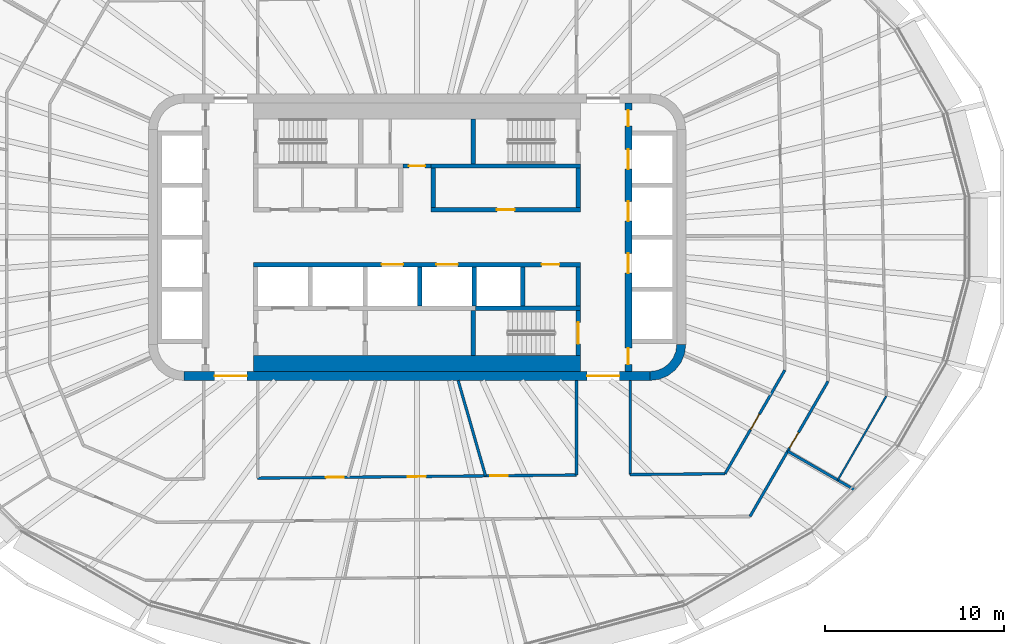
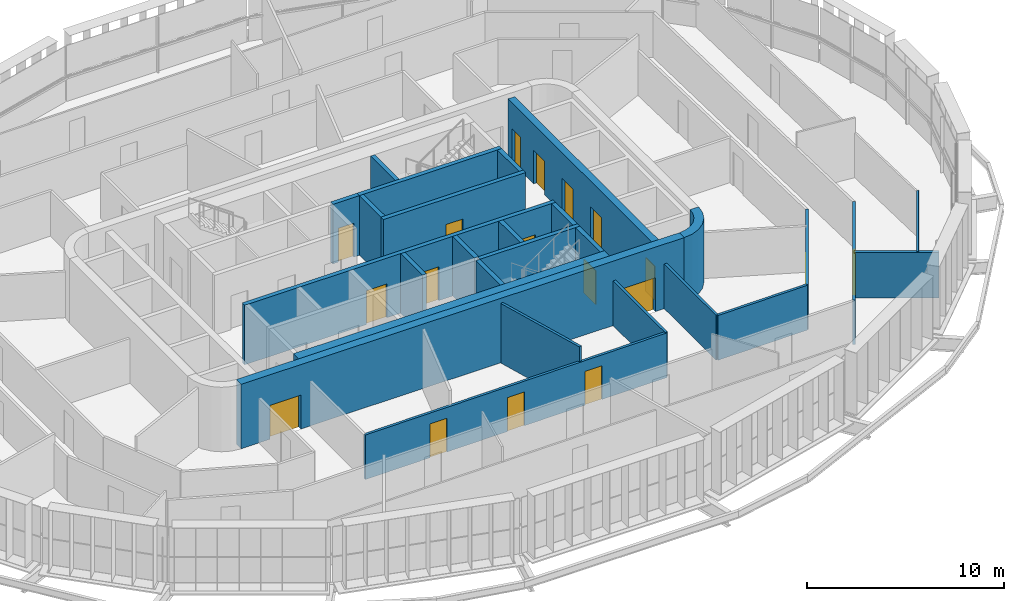
# One storey, part 12 of 21: 27 walls, 18 doors, 18 openings.
"""IFC4 building model written with IfcOpenShell, lengths in metres."""

import ifcopenshell
import ifcopenshell.guid

model = None  # the IFC model being written
_history = None  # IfcOwnerHistory: only IFC2X3 demands one
_inside = {}  # id of a spatial element -> (the spatial element, [elements in it])
_under = {}  # id of a project, library or spatial element -> (it, [spatial elements below it])
_declared = {}  # id of a project -> (the project, [libraries it declares])
_typed = {}  # id of a type object -> (the type object, [elements of that type])
_made_of = {}  # id of a material, layer set ... -> (it, [elements and type objects made of it])


def new_model(schema):
    """Start an empty IFC model of exactly this schema.

    Asked for "IFC4X3", IfcOpenShell would pick the latest addendum, in which some entities
    have other attributes; the version numbers below select the first issue.
    IFC2X3 requires an IfcOwnerHistory on every rooted entity: one is made here for all.
    """
    global model, _history
    if schema == "IFC4X3":
        model = ifcopenshell.file(schema_version=(4, 3, 0, 0))
    else:
        model = ifcopenshell.file(schema=schema)
    _inside.clear()
    _under.clear()
    _declared.clear()
    _typed.clear()
    _made_of.clear()
    _history = None
    if model.schema == "IFC2X3":
        org = make("IfcOrganization", Name="unknown")
        user = make(
            "IfcPersonAndOrganization",
            ThePerson=make("IfcPerson", FamilyName="unknown"),
            TheOrganization=org,
        )
        app = make(
            "IfcApplication",
            ApplicationDeveloper=org,
            Version="unknown",
            ApplicationFullName="unknown",
            ApplicationIdentifier="unknown",
        )
        _history = make(
            "IfcOwnerHistory",
            OwningUser=user,
            OwningApplication=app,
            ChangeAction="ADDED",
            CreationDate=0,
        )
    return model


def make(cls, **values):
    """One entity of the class cls with the attributes given. An attribute that is None is left unset."""
    return model.create_entity(
        cls, **{name: value for name, value in values.items() if value is not None}
    )


def rooted(cls, **values):
    """An entity with a GlobalId (a new one), such as an element, a storey or a relation."""
    return make(cls, GlobalId=ifcopenshell.guid.new(), OwnerHistory=_history, **values)


def si_unit(unit_type, name, prefix=None):
    """IfcSIUnit, for example si_unit("LENGTHUNIT", "METRE", prefix="MILLI")."""
    return make("IfcSIUnit", UnitType=unit_type, Prefix=prefix, Name=name)


def assignment(units):
    """IfcUnitAssignment: the units of a project."""
    return None if units is None else make("IfcUnitAssignment", Units=units)


def point(xyz):
    """IfcCartesianPoint."""
    return None if xyz is None else make("IfcCartesianPoint", Coordinates=xyz)


def direction(xyz):
    """IfcDirection."""
    return None if xyz is None else make("IfcDirection", DirectionRatios=xyz)


def frame(location, z_axis=None, x_axis=None):
    """IfcAxis2Placement3D, a coordinate frame: its origin and axes. An axis left out is left unset."""
    return make(
        "IfcAxis2Placement3D",
        Location=point(location),
        Axis=direction(z_axis),
        RefDirection=direction(x_axis),
    )


def frame_2d(location, x_axis=None):
    """IfcAxis2Placement2D, a coordinate frame in the plane: its origin and x axis."""
    return make(
        "IfcAxis2Placement2D", Location=point(location), RefDirection=direction(x_axis)
    )


def origin():
    """The frame at (0, 0, 0) with its axes left unset."""
    return frame((0.0, 0.0, 0.0))


def place(relative_to, where):
    """IfcLocalPlacement: puts the frame where relative to a parent placement (None: the world)."""
    return make(
        "IfcLocalPlacement", PlacementRelTo=relative_to, RelativePlacement=where
    )


def context(
    kind, dimensions, precision=None, world=None, true_north=None, identifier=None
):
    """IfcGeometricRepresentationContext, for example the 3D "Model" context."""
    return make(
        "IfcGeometricRepresentationContext",
        ContextIdentifier=identifier,
        ContextType=kind,
        CoordinateSpaceDimension=dimensions,
        Precision=precision,
        WorldCoordinateSystem=world,
        TrueNorth=true_north,
    )


def subcontext(parent, identifier, kind, view, scale=None):
    """IfcGeometricRepresentationSubContext, for example "Body" below "Model"."""
    return make(
        "IfcGeometricRepresentationSubContext",
        ContextIdentifier=identifier,
        ContextType=kind,
        ParentContext=parent,
        TargetScale=scale,
        TargetView=view,
    )


def project(units=None, contexts=None):
    """IfcProject with its units and contexts."""
    return rooted(
        "IfcProject",
        Name="project",
        RepresentationContexts=contexts,
        UnitsInContext=assignment(units),
    )


def spatial(cls, under=None, at=None, **own):
    """A site, building, storey or space (cls), placed at a placement, below another one or the project."""
    s = rooted(cls, ObjectPlacement=at, **own)
    if under is not None:
        _under.setdefault(under.id(), (under, []))[1].append(s)
    return s


def polyline(points):
    """IfcPolyline through the points."""
    return make("IfcPolyline", Points=[point(p) for p in points])


def profile(cls, at=None, kind="AREA", **sizes):
    """A parametric profile (cls). Its sizes go by their IFC names, for example OverallWidth=200.0."""
    return make(cls, ProfileType=kind, Position=at, **sizes)


def rectangle(**sizes):
    """IfcRectangleProfileDef."""
    return profile("IfcRectangleProfileDef", **sizes)


def outline(outer, holes=None, kind="AREA"):
    """IfcArbitraryClosedProfileDef: a profile drawn as a closed curve; with holes, ...WithVoids."""
    if holes is None:
        return make("IfcArbitraryClosedProfileDef", ProfileType=kind, OuterCurve=outer)
    return make(
        "IfcArbitraryProfileDefWithVoids",
        ProfileType=kind,
        OuterCurve=outer,
        InnerCurves=holes,
    )


def extrude(swept, where, along, depth):
    """IfcExtrudedAreaSolid: the profile swept, set in the frame where, extruded along a direction by depth."""
    return make(
        "IfcExtrudedAreaSolid",
        SweptArea=swept,
        Position=where,
        ExtrudedDirection=direction(along),
        Depth=depth,
    )


def shape(context_of_items, identifier, shape_type, items):
    """IfcShapeRepresentation: the items that make up one representation, for example the "Body"."""
    return make(
        "IfcShapeRepresentation",
        ContextOfItems=context_of_items,
        RepresentationIdentifier=identifier,
        RepresentationType=shape_type,
        Items=items,
    )


def material(Name=None, Category=None):
    """IfcMaterial."""
    return make("IfcMaterial", Name=Name, Category=Category)


def layer(
    of_material, thickness, ventilated=None, Name=None, Category=None, Priority=None
):
    """IfcMaterialLayer: one layer of a wall or slab, of a material (None: an air gap)."""
    return make(
        "IfcMaterialLayer",
        Material=of_material,
        LayerThickness=thickness,
        IsVentilated=ventilated,
        Name=Name,
        Category=Category,
        Priority=Priority,
    )


def layer_set(layers, Name=None):
    """IfcMaterialLayerSet."""
    return make("IfcMaterialLayerSet", MaterialLayers=layers, LayerSetName=Name)


def made_of(thing, what):
    """Note that an element or type object is made of a material, layer set ...; save() writes the relation."""
    if what is not None:
        _made_of.setdefault(what.id(), (what, []))[1].append(thing)
    return thing


def type_object(cls, material=None, **own):
    """A type object (cls), such as IfcWallType, which elements share."""
    return made_of(rooted(cls, **own), material)


def element(
    cls,
    number,
    at=None,
    inside=None,
    cuts=None,
    type_object=None,
    material=None,
    context=None,
    identifier="Body",
    shape_type=None,
    held_by="IfcProductDefinitionShape",
    body=None,
    shapes=None,
    **own,
):
    """One element of the class cls, such as IfcWall. Its Tag is "e" and its number.

    at: its placement. inside: the storey or other place that contains it. cuts: it is an
    opening in that element (IfcRelVoidsElement). A single representation is given by context,
    identifier, shape_type and body (its items); several are given by shapes. held_by: the class
    of the entity that holds the representations. save() writes the other relations.
    """
    e = rooted(cls, Tag="e%d" % number, ObjectPlacement=at, **own)
    if body is not None:
        shapes = [shape(context, identifier, shape_type, body)]
    if shapes is not None:
        e.Representation = make(held_by, Representations=shapes)
    if inside is not None:
        _inside.setdefault(inside.id(), (inside, []))[1].append(e)
    if cuts is not None:
        rooted(
            "IfcRelVoidsElement", RelatingBuildingElement=cuts, RelatedOpeningElement=e
        )
    if type_object is not None:
        _typed.setdefault(type_object.id(), (type_object, []))[1].append(e)
    return made_of(e, material)


def fill(opening, filler):
    """IfcRelFillsElement: the door or window that sits in an opening."""
    return rooted(
        "IfcRelFillsElement",
        RelatingOpeningElement=opening,
        RelatedBuildingElement=filler,
    )


def aggregate(whole, parts):
    """IfcRelAggregates: a whole, such as a stair, and the parts it consists of."""
    return rooted("IfcRelAggregates", RelatingObject=whole, RelatedObjects=parts)


def save(model, path):
    """Write the relations noted so far, then the file.

    IfcRelAggregates (storeys below a building ...), IfcRelContainedInSpatialStructure (elements
    in a storey), IfcRelDefinesByType, IfcRelAssociatesMaterial and IfcRelDeclares: one each for
    every whole, place, type object, material and project.
    """
    for whole, parts in _under.values():
        aggregate(whole, parts)
    for where, things in _inside.values():
        rooted(
            "IfcRelContainedInSpatialStructure",
            RelatedElements=things,
            RelatingStructure=where,
        )
    for kind, things in _typed.values():
        rooted("IfcRelDefinesByType", RelatedObjects=things, RelatingType=kind)
    for what, things in _made_of.values():
        rooted("IfcRelAssociatesMaterial", RelatedObjects=things, RelatingMaterial=what)
    for by, libraries in _declared.values():
        rooted("IfcRelDeclares", RelatingContext=by, RelatedDefinitions=libraries)
    model.write(path)


model = new_model("IFC4")

# Units and contexts
model_context = context("Model", 3, precision=1e-05, world=origin(), true_north=direction((0.0, 1.0)))
body_context = subcontext(model_context, "Body", "Model", "MODEL_VIEW")
ifc_project = project(units=[si_unit("LENGTHUNIT", "METRE"), si_unit("AREAUNIT", "SQUARE_METRE"), si_unit("VOLUMEUNIT", "CUBIC_METRE"), si_unit("PLANEANGLEUNIT", "RADIAN"), si_unit("MASSUNIT", "GRAM", prefix="KILO")], contexts=[model_context])

# Site, building, storey
site_placement = place(None, origin())
site = spatial("IfcSite", under=ifc_project, at=site_placement, CompositionType="ELEMENT")
building_placement = place(site_placement, origin())
building = spatial("IfcBuilding", under=site, at=building_placement, Name="Sahrelin Media Tower", CompositionType="ELEMENT")
storey_placement = place(building_placement, frame((0.0, 0.0, 193.60009765625)))
storey = spatial("IfcBuildingStorey", under=building, at=storey_placement, Name="L41", CompositionType="ELEMENT", Elevation=193.60009765625)

# Wall, openings, doors
ifc_material_1 = material(Name="Concrete C60/75", Category="concrete")
ifc_layer_1 = layer(ifc_material_1, 0.5)
ifc_layer_set_1 = layer_set([ifc_layer_1], Name="Core wall 500")
wall_type_1 = type_object("IfcWallType", Name="Core wall 500", PredefinedType="SHEAR", material=ifc_layer_set_1)
wall_1_placement = place(storey_placement, frame((-13.0, -7.75, 0.0), z_axis=(0.0, 0.0, 1.0), x_axis=(1.0, 0.0, 0.0)))
wall_1 = element("IfcWall", 1, at=wall_1_placement, inside=storey, type_object=wall_type_1, Name="Core wall S L41", PredefinedType="SHEAR", context=body_context, shape_type="SweptSolid", body=[
    extrude(rectangle(XDim=26.0, YDim=0.5, at=frame_2d((13.0, 0.0))), origin(), (0.0, 0.0, 1.0), 4.0),
])
opening_1_placement = place(wall_1_placement, frame((1.699951171875, 0.0, 0.0)))
opening_1 = element("IfcOpeningElement", 2, at=opening_1_placement, cuts=wall_1, Name="Opening L41-D19", PredefinedType="OPENING", context=body_context, shape_type="SweptSolid", body=[
    extrude(rectangle(XDim=1.800048828125, YDim=2.10009765625, at=frame_2d((0.89990234375, 1.050048828125))), frame((0.0, 0.25, 0.0), z_axis=(0.0, -1.0, 0.0), x_axis=(1.0, 0.0, 0.0)), (0.0, 0.0, 1.0), 0.5),
])
opening_2_placement = place(wall_1_placement, frame((22.5, 0.0, 0.0)))
opening_2 = element("IfcOpeningElement", 3, at=opening_2_placement, cuts=wall_1, Name="Opening L41-D20", PredefinedType="OPENING", context=body_context, shape_type="SweptSolid", body=[
    extrude(rectangle(XDim=1.800048828125, YDim=2.10009765625, at=frame_2d((0.89990234375, 1.050048828125))), frame((0.0, 0.25, 0.0), z_axis=(0.0, -1.0, 0.0), x_axis=(1.0, 0.0, 0.0)), (0.0, 0.0, 1.0), 0.5),
])
ifc_material_2 = material(Name="Steel fire door leaf", Category="steel")
door_type_1 = type_object("IfcDoorType", Name="Lobby double door 1800 x 2100 EI 60", OperationType="DOUBLE_DOOR_SINGLE_SWING", PredefinedType="DOOR", material=ifc_material_2)
door_1_placement = place(opening_1_placement, origin())
door_1 = element("IfcDoor", 4, at=door_1_placement, inside=storey, type_object=door_type_1, Name="Lobby door", OperationType="DOUBLE_DOOR_SINGLE_SWING", OverallHeight=2.10009765625, OverallWidth=1.800048828125, PredefinedType="DOOR", context=body_context, shape_type="SweptSolid", body=[
    extrude(rectangle(XDim=1.800048828125, YDim=2.10009765625, at=frame_2d((0.89990234375, 1.050048828125))), frame((0.0, 0.02490234375, 0.0), z_axis=(0.0, -1.0, 0.0), x_axis=(1.0, 0.0, 0.0)), (0.0, 0.0, 1.0), 0.050048828125),
])
fill(opening_1, door_1)
door_2_placement = place(opening_2_placement, origin())
door_2 = element("IfcDoor", 5, at=door_2_placement, inside=storey, type_object=door_type_1, Name="Lobby door", OperationType="DOUBLE_DOOR_SINGLE_SWING", OverallHeight=2.10009765625, OverallWidth=1.800048828125, PredefinedType="DOOR", context=body_context, shape_type="SweptSolid", body=[
    extrude(rectangle(XDim=1.800048828125, YDim=2.10009765625, at=frame_2d((0.89990234375, 1.050048828125))), frame((0.0, 0.02490234375, 0.0), z_axis=(0.0, -1.0, 0.0), x_axis=(1.0, 0.0, 0.0)), (0.0, 0.0, 1.0), 0.050048828125),
])
fill(opening_2, door_2)

# Wall
wall_2_placement = place(storey_placement, origin())
element("IfcWall", 6, at=wall_2_placement, inside=storey, type_object=wall_type_1, Name="Core wall corner SE L41", PredefinedType="SHEAR", context=body_context, shape_type="SweptSolid", body=[
    extrude(outline(polyline([(15.0, -6.0), (14.49560546875, -6.0), (14.44482421875, -6.38720703125), (14.29541015625, -6.747802734375), (14.0576171875, -7.0576171875), (13.747802734375, -7.29541015625), (13.38720703125, -7.44482421875), (13.0, -7.49560546875), (13.0, -8.0), (13.517578125, -7.931884765625), (14.0, -7.732177734375), (14.414306640625, -7.414306640625), (14.732177734375, -7.0), (14.931884765625, -6.517578125), (15.0, -6.0)])), origin(), (0.0, 0.0, 1.0), 4.0),
])

# Wall, opening, door
ifc_material_3 = material(Name="Fire-rated gypsum board partition")
ifc_layer_2 = layer(ifc_material_3, 0.25)
ifc_layer_set_2 = layer_set([ifc_layer_2], Name="Fire-rated lobby wall 250")
wall_type_2 = type_object("IfcWallType", Name="Fire-rated lobby wall 250", PredefinedType="PARTITIONING", material=ifc_layer_set_2)
wall_3_placement = place(storey_placement, frame((-0.77490234375, 3.97509765625, 0.0), z_axis=(0.0, 0.0, 1.0), x_axis=(1.0, 0.0, 0.0)))
wall_3 = element("IfcWall", 7, at=wall_3_placement, inside=storey, type_object=wall_type_2, Name="Core lobby wall", PredefinedType="PARTITIONING", context=body_context, shape_type="SweptSolid", body=[
    extrude(rectangle(XDim=1.5498046875, YDim=0.25, at=frame_2d((0.77490234375, 0.0))), origin(), (0.0, 0.0, 1.0), 3.699951171875),
])
opening_3_placement = place(wall_3_placement, frame((0.324951171875, 0.0, 0.0)))
opening_3 = element("IfcOpeningElement", 8, at=opening_3_placement, cuts=wall_3, Name="Opening L41-D06", PredefinedType="OPENING", context=body_context, shape_type="SweptSolid", body=[
    extrude(rectangle(XDim=0.89990234375, YDim=2.10009765625, at=frame_2d((0.449951171875, 1.050048828125))), frame((0.0, 0.125, 0.0), z_axis=(0.0, -1.0, 0.0), x_axis=(1.0, 0.0, 0.0)), (0.0, 0.0, 1.0), 0.25),
])
door_type_2 = type_object("IfcDoorType", Name="Riser door 900 x 2100 EI 120", OperationType="NOTDEFINED", PredefinedType="DOOR", material=ifc_material_2)
door_3_placement = place(opening_3_placement, origin())
door_3 = element("IfcDoor", 9, at=door_3_placement, inside=storey, type_object=door_type_2, Name="Core room door", OperationType="SINGLE_SWING_LEFT", OverallHeight=2.10009765625, OverallWidth=0.89990234375, PredefinedType="DOOR", context=body_context, shape_type="SweptSolid", body=[
    extrude(rectangle(XDim=0.89990234375, YDim=2.10009765625, at=frame_2d((0.449951171875, 1.050048828125))), frame((0.0, 0.02490234375, 0.0), z_axis=(0.0, -1.0, 0.0), x_axis=(1.0, 0.0, 0.0)), (0.0, 0.0, 1.0), 0.050048828125),
])
fill(opening_3, door_3)

wall_4_placement = place(storey_placement, frame((0.77490234375, 1.52490234375, 0.0), z_axis=(0.0, 0.0, 1.0), x_axis=(1.0, 0.0, 0.0)))
wall_4 = element("IfcWall", 10, at=wall_4_placement, inside=storey, type_object=wall_type_2, Name="Core lobby wall", PredefinedType="PARTITIONING", context=body_context, shape_type="SweptSolid", body=[
    extrude(rectangle(XDim=8.35009765625, YDim=0.25, at=frame_2d((4.175048828125, 0.0))), origin(), (0.0, 0.0, 1.0), 3.699951171875),
])
opening_4_placement = place(wall_4_placement, frame((3.675048828125, 0.0, 0.0)))
opening_4 = element("IfcOpeningElement", 11, at=opening_4_placement, cuts=wall_4, Name="Opening L41-D11", PredefinedType="OPENING", context=body_context, shape_type="SweptSolid", body=[
    extrude(rectangle(XDim=1.0, YDim=2.10009765625, at=frame_2d((0.5, 1.050048828125))), frame((0.0, 0.125, 0.0), z_axis=(0.0, -1.0, 0.0), x_axis=(1.0, 0.0, 0.0)), (0.0, 0.0, 1.0), 0.25),
])
door_type_3 = type_object("IfcDoorType", Name="Fire door 1000 x 2100 EI 60", OperationType="NOTDEFINED", PredefinedType="DOOR", material=ifc_material_2)
door_4_placement = place(opening_4_placement, origin())
door_4 = element("IfcDoor", 12, at=door_4_placement, inside=storey, type_object=door_type_3, Name="Core room door", OperationType="SINGLE_SWING_LEFT", OverallHeight=2.10009765625, OverallWidth=1.0, PredefinedType="DOOR", context=body_context, shape_type="SweptSolid", body=[
    extrude(rectangle(XDim=1.0, YDim=2.10009765625, at=frame_2d((0.5, 1.050048828125))), frame((0.0, 0.02490234375, 0.0), z_axis=(0.0, -1.0, 0.0), x_axis=(1.0, 0.0, 0.0)), (0.0, 0.0, 1.0), 0.050048828125),
])
fill(opening_4, door_4)

# Walls
for number, where, z_axis, x_axis, name in (
    (13, (9.0, 1.64990234375, 0.0), (0.0, 0.0, 1.0), (0.0, 1.0, 0.0), "Core lobby wall"),
    (14, (0.89990234375, 1.64990234375, 0.0), (0.0, 0.0, 1.0), (0.0, 1.0, 0.0), "Core lobby wall"),
):
    element("IfcWall", number, at=place(storey_placement, frame(where, z_axis=z_axis, x_axis=x_axis)), inside=storey, type_object=wall_type_2, Name=name, PredefinedType="PARTITIONING", context=body_context, shape_type="SweptSolid", body=[
        extrude(rectangle(XDim=2.2001953125, YDim=0.25, at=frame_2d((1.10009765625, 0.0))), origin(), (0.0, 0.0, 1.0), 3.699951171875),
    ])
ifc_layer_3 = layer(ifc_material_3, 0.14990234375)
ifc_layer_set_3 = layer_set([ifc_layer_3], Name="Fire-rated partition 150")
wall_type_3 = type_object("IfcWallType", Name="Fire-rated partition 150", PredefinedType="PARTITIONING", material=ifc_layer_set_3)
wall_5_placement = place(storey_placement, frame((2.2958984375, -8.0, 0.0), z_axis=(0.0, 0.0, 1.0), x_axis=(0.275935525478, -0.961176147113, 0.0)))
element("IfcWall", 15, at=wall_5_placement, inside=storey, type_object=wall_type_3, Name="Wall", PredefinedType="PARTITIONING", context=body_context, shape_type="SweptSolid", body=[
    extrude(rectangle(XDim=5.54833984375, YDim=0.14990234375, at=frame_2d((2.774169921875, 0.0))), origin(), (0.0, 0.0, 1.0), 3.699951171875),
])
wall_6_placement = place(storey_placement, frame((20.68994140625, -11.945068359375, 0.0), z_axis=(0.0, 0.0, 1.0), x_axis=(0.866048255864, -0.499960416948, 0.0)))
element("IfcWall", 16, at=wall_6_placement, inside=storey, type_object=wall_type_3, Name="Wall", PredefinedType="PARTITIONING", context=body_context, shape_type="SweptSolid", body=[
    extrude(rectangle(XDim=4.322021484375, YDim=0.14990234375, at=frame_2d((2.1611328125, 0.0))), origin(), (0.0, 0.0, 1.0), 2.844970703125),
])

# Wall, openings, doors
wall_7_placement = place(storey_placement, frame((-8.89990234375, -13.448974609375, 0.0), z_axis=(0.0, 0.0, 1.0), x_axis=(0.999951241216, 0.009874977968, 0.0)))
wall_7 = element("IfcWall", 17, at=wall_7_placement, inside=storey, type_object=wall_type_3, Name="Wall", PredefinedType="PARTITIONING", context=body_context, shape_type="SweptSolid", body=[
    extrude(rectangle(XDim=17.80078125, YDim=0.14990234375, at=frame_2d((8.900390625, 0.0))), origin(), (0.0, 0.0, 1.0), 2.76806640625),
])
opening_5_placement = place(wall_7_placement, frame((3.8173828125, 0.0, 0.0)))
opening_5 = element("IfcOpeningElement", 18, at=opening_5_placement, cuts=wall_7, Name="Opening L41-D21", PredefinedType="OPENING", context=body_context, shape_type="SweptSolid", body=[
    extrude(rectangle(XDim=1.0, YDim=2.10009765625, at=frame_2d((0.5, 1.050048828125))), frame((0.0, 0.074951171875, 0.0), z_axis=(0.0, -1.0, 0.0), x_axis=(1.0, 0.0, 0.0)), (0.0, 0.0, 1.0), 0.14990234375),
])
opening_6_placement = place(wall_7_placement, frame((8.39013671875, 0.0, 0.0)))
opening_6 = element("IfcOpeningElement", 19, at=opening_6_placement, cuts=wall_7, Name="Opening L41-D22", PredefinedType="OPENING", context=body_context, shape_type="SweptSolid", body=[
    extrude(rectangle(XDim=1.0, YDim=2.10009765625, at=frame_2d((0.5, 1.050048828125))), frame((0.0, 0.074951171875, 0.0), z_axis=(0.0, -1.0, 0.0), x_axis=(1.0, 0.0, 0.0)), (0.0, 0.0, 1.0), 0.14990234375),
])
opening_7_placement = place(wall_7_placement, frame((12.97412109375, 0.0, 0.0)))
opening_7 = element("IfcOpeningElement", 20, at=opening_7_placement, cuts=wall_7, Name="Opening L41-D23", PredefinedType="OPENING", context=body_context, shape_type="SweptSolid", body=[
    extrude(rectangle(XDim=1.0, YDim=2.10009765625, at=frame_2d((0.5, 1.050048828125))), frame((0.0, 0.074951171875, 0.0), z_axis=(0.0, -1.0, 0.0), x_axis=(1.0, 0.0, 0.0)), (0.0, 0.0, 1.0), 0.14990234375),
])
door_5_placement = place(opening_5_placement, origin())
door_5 = element("IfcDoor", 21, at=door_5_placement, inside=storey, type_object=door_type_3, Name="Fire door", OperationType="SINGLE_SWING_RIGHT", OverallHeight=2.10009765625, OverallWidth=1.0, PredefinedType="DOOR", context=body_context, shape_type="SweptSolid", body=[
    extrude(rectangle(XDim=1.0, YDim=2.10009765625, at=frame_2d((0.5, 1.050048828125))), frame((0.0, 0.02490234375, 0.0), z_axis=(0.0, -1.0, 0.0), x_axis=(1.0, 0.0, 0.0)), (0.0, 0.0, 1.0), 0.050048828125),
])
fill(opening_5, door_5)
door_6_placement = place(opening_6_placement, origin())
door_6 = element("IfcDoor", 22, at=door_6_placement, inside=storey, type_object=door_type_3, Name="Fire door", OperationType="SINGLE_SWING_RIGHT", OverallHeight=2.10009765625, OverallWidth=1.0, PredefinedType="DOOR", context=body_context, shape_type="SweptSolid", body=[
    extrude(rectangle(XDim=1.0, YDim=2.10009765625, at=frame_2d((0.5, 1.050048828125))), frame((0.0, 0.02490234375, 0.0), z_axis=(0.0, -1.0, 0.0), x_axis=(1.0, 0.0, 0.0)), (0.0, 0.0, 1.0), 0.050048828125),
])
fill(opening_6, door_6)
door_7_placement = place(opening_7_placement, origin())
door_7 = element("IfcDoor", 23, at=door_7_placement, inside=storey, type_object=door_type_3, Name="Fire door", OperationType="SINGLE_SWING_LEFT", OverallHeight=2.10009765625, OverallWidth=1.0, PredefinedType="DOOR", context=body_context, shape_type="SweptSolid", body=[
    extrude(rectangle(XDim=1.0, YDim=2.10009765625, at=frame_2d((0.5, 1.050048828125))), frame((0.0, 0.02490234375, 0.0), z_axis=(0.0, -1.0, 0.0), x_axis=(1.0, 0.0, 0.0)), (0.0, 0.0, 1.0), 0.050048828125),
])
fill(opening_7, door_7)

# Wall
wall_8_placement = place(storey_placement, frame((11.89990234375, -13.2529296875, 0.0), z_axis=(0.0, 0.0, 1.0), x_axis=(0.999951309192, 0.009868092237, 0.0)))
element("IfcWall", 24, at=wall_8_placement, inside=storey, type_object=wall_type_3, Name="Wall", PredefinedType="PARTITIONING", context=body_context, shape_type="SweptSolid", body=[
    extrude(rectangle(XDim=5.29443359375, YDim=0.14990234375, at=frame_2d((2.647216796875, 0.0))), origin(), (0.0, 0.0, 1.0), 2.77685546875),
])

# Wall, opening, door
wall_9_placement = place(storey_placement, frame((18.587158203125, -15.587158203125, 0.0), z_axis=(0.0, 0.0, 1.0), x_axis=(0.499960140076, 0.866048415699, 0.0)))
wall_9 = element("IfcWall", 25, at=wall_9_placement, inside=storey, type_object=wall_type_3, Name="Wall", PredefinedType="PARTITIONING", context=body_context, shape_type="SweptSolid", body=[
    extrude(rectangle(XDim=8.713623046875, YDim=0.14990234375, at=frame_2d((4.35693359375, 0.0))), origin(), (0.0, 0.0, 1.0), 2.77685546875),
])
opening_8_placement = place(wall_9_placement, frame((4.40966796875, 0.0, 0.0)))
opening_8 = element("IfcOpeningElement", 26, at=opening_8_placement, cuts=wall_9, Name="Opening L41-D35", PredefinedType="OPENING", context=body_context, shape_type="SweptSolid", body=[
    extrude(rectangle(XDim=1.0, YDim=2.10009765625, at=frame_2d((0.5, 1.050048828125))), frame((0.0, 0.074951171875, 0.0), z_axis=(0.0, -1.0, 0.0), x_axis=(1.0, 0.0, 0.0)), (0.0, 0.0, 1.0), 0.14990234375),
])
door_8_placement = place(opening_8_placement, origin())
door_8 = element("IfcDoor", 27, at=door_8_placement, inside=storey, type_object=door_type_3, Name="Fire door", OperationType="SINGLE_SWING_LEFT", OverallHeight=2.10009765625, OverallWidth=1.0, PredefinedType="DOOR", context=body_context, shape_type="SweptSolid", body=[
    extrude(rectangle(XDim=1.0, YDim=2.10009765625, at=frame_2d((0.5, 1.050048828125))), frame((0.0, 0.02490234375, 0.0), z_axis=(0.0, -1.0, 0.0), x_axis=(1.0, 0.0, 0.0)), (0.0, 0.0, 1.0), 0.050048828125),
])
fill(opening_8, door_8)

wall_10_placement = place(storey_placement, frame((17.194091796875, -13.200927734375, 0.0), z_axis=(0.0, 0.0, 1.0), x_axis=(0.499955744085, 0.866050953441, 0.0)))
wall_10 = element("IfcWall", 28, at=wall_10_placement, inside=storey, type_object=wall_type_3, Name="Wall", PredefinedType="PARTITIONING", context=body_context, shape_type="SweptSolid", body=[
    extrude(rectangle(XDim=6.67333984375, YDim=0.14990234375, at=frame_2d((3.336669921875, 0.0))), origin(), (0.0, 0.0, 1.0), 2.77685546875),
])
opening_9_placement = place(wall_10_placement, frame((2.834716796875, 0.0, 0.0)))
opening_9 = element("IfcOpeningElement", 29, at=opening_9_placement, cuts=wall_10, Name="Opening L41-D24", PredefinedType="OPENING", context=body_context, shape_type="SweptSolid", body=[
    extrude(rectangle(XDim=1.0, YDim=2.10009765625, at=frame_2d((0.5, 1.050048828125))), frame((0.0, 0.074951171875, 0.0), z_axis=(0.0, -1.0, 0.0), x_axis=(1.0, 0.0, 0.0)), (0.0, 0.0, 1.0), 0.14990234375),
])
door_9_placement = place(opening_9_placement, origin())
door_9 = element("IfcDoor", 30, at=door_9_placement, inside=storey, type_object=door_type_3, Name="Fire door", OperationType="SINGLE_SWING_RIGHT", OverallHeight=2.10009765625, OverallWidth=1.0, PredefinedType="DOOR", context=body_context, shape_type="SweptSolid", body=[
    extrude(rectangle(XDim=1.0, YDim=2.10009765625, at=frame_2d((0.5, 1.050048828125))), frame((0.0, 0.02490234375, 0.0), z_axis=(0.0, -1.0, 0.0), x_axis=(1.0, 0.0, 0.0)), (0.0, 0.0, 1.0), 0.050048828125),
])
fill(opening_9, door_9)

# Walls
wall_11_placement = place(storey_placement, frame((11.89990234375, -13.2529296875, 0.0), z_axis=(0.0, 0.0, 1.0), x_axis=(0.0, 1.0, 0.0)))
element("IfcWall", 31, at=wall_11_placement, inside=storey, type_object=wall_type_3, Name="Wall", PredefinedType="PARTITIONING", context=body_context, shape_type="SweptSolid", body=[
    extrude(rectangle(XDim=5.2529296875, YDim=0.14990234375, at=frame_2d((2.62646484375, 0.0))), origin(), (0.0, 0.0, 1.0), 2.77685546875),
])
wall_12_placement = place(storey_placement, frame((8.89990234375, -13.282958984375, 0.0), z_axis=(0.0, 0.0, 1.0), x_axis=(0.0, 1.0, 0.0)))
element("IfcWall", 32, at=wall_12_placement, inside=storey, type_object=wall_type_3, Name="Wall", PredefinedType="PARTITIONING", context=body_context, shape_type="SweptSolid", body=[
    extrude(rectangle(XDim=5.282958984375, YDim=0.14990234375, at=frame_2d((2.6416015625, 0.0))), origin(), (0.0, 0.0, 1.0), 2.77685546875),
])

# Wall, openings, doors
ifc_layer_4 = layer(ifc_material_1, 0.25)
ifc_layer_set_4 = layer_set([ifc_layer_4], Name="Lift shaft wall 250")
wall_type_4 = type_object("IfcWallType", Name="Lift shaft wall 250", PredefinedType="SOLIDWALL", material=ifc_layer_set_4)
wall_13_placement = place(storey_placement, frame((-9.125, -1.52490234375, 0.0), z_axis=(0.0, 0.0, 1.0), x_axis=(1.0, 0.0, 0.0)))
wall_13 = element("IfcWall", 33, at=wall_13_placement, inside=storey, type_object=wall_type_4, Name="Lift shaft wall", PredefinedType="SOLIDWALL", context=body_context, shape_type="SweptSolid", body=[
    extrude(rectangle(XDim=18.25, YDim=0.25, at=frame_2d((9.125, 0.0))), origin(), (0.0, 0.0, 1.0), 3.699951171875),
])
opening_10_placement = place(wall_13_placement, frame((7.14990234375, 0.0, 0.0)))
opening_10 = element("IfcOpeningElement", 34, at=opening_10_placement, cuts=wall_13, Name="Opening L41-LD-SV1", PredefinedType="OPENING", context=body_context, shape_type="SweptSolid", body=[
    extrude(rectangle(XDim=1.199951171875, YDim=2.10009765625, at=frame_2d((0.60009765625, 1.050048828125))), frame((0.0, 0.125, 0.0), z_axis=(0.0, -1.0, 0.0), x_axis=(1.0, 0.0, 0.0)), (0.0, 0.0, 1.0), 0.25),
])
opening_11_placement = place(wall_13_placement, frame((10.199951171875, 0.0, 0.0)))
opening_11 = element("IfcOpeningElement", 35, at=opening_11_placement, cuts=wall_13, Name="Opening L41-LD-SV2", PredefinedType="OPENING", context=body_context, shape_type="SweptSolid", body=[
    extrude(rectangle(XDim=1.199951171875, YDim=2.10009765625, at=frame_2d((0.60009765625, 1.050048828125))), frame((0.0, 0.125, 0.0), z_axis=(0.0, -1.0, 0.0), x_axis=(1.0, 0.0, 0.0)), (0.0, 0.0, 1.0), 0.25),
])
opening_12_placement = place(wall_13_placement, frame((16.074951171875, 0.0, 0.0)))
opening_12 = element("IfcOpeningElement", 36, at=opening_12_placement, cuts=wall_13, Name="Opening L41-D12", PredefinedType="OPENING", context=body_context, shape_type="SweptSolid", body=[
    extrude(rectangle(XDim=1.0, YDim=2.10009765625, at=frame_2d((0.5, 1.050048828125))), frame((0.0, 0.125, 0.0), z_axis=(0.0, -1.0, 0.0), x_axis=(1.0, 0.0, 0.0)), (0.0, 0.0, 1.0), 0.25),
])
door_10_placement = place(opening_12_placement, origin())
door_10 = element("IfcDoor", 37, at=door_10_placement, inside=storey, type_object=door_type_3, Name="Core room door", OperationType="SINGLE_SWING_RIGHT", OverallHeight=2.10009765625, OverallWidth=1.0, PredefinedType="DOOR", context=body_context, shape_type="SweptSolid", body=[
    extrude(rectangle(XDim=1.0, YDim=2.10009765625, at=frame_2d((0.5, 1.050048828125))), frame((0.0, 0.02490234375, 0.0), z_axis=(0.0, -1.0, 0.0), x_axis=(1.0, 0.0, 0.0)), (0.0, 0.0, 1.0), 0.050048828125),
])
fill(opening_12, door_10)
ifc_material_4 = material(Name="Stainless steel", Category="steel")
door_type_4 = type_object("IfcDoorType", Name="Lift landing door 1200 x 2100 EI 120", OperationType="DOUBLE_DOOR_SLIDING", PredefinedType="DOOR", material=ifc_material_4)
door_11_placement = place(opening_10_placement, origin())
door_11 = element("IfcDoor", 38, at=door_11_placement, inside=storey, type_object=door_type_4, Name="Lift landing door SV1", OperationType="DOUBLE_DOOR_SLIDING", OverallHeight=2.10009765625, OverallWidth=1.199951171875, PredefinedType="DOOR", context=body_context, shape_type="SweptSolid", body=[
    extrude(rectangle(XDim=1.199951171875, YDim=2.10009765625, at=frame_2d((0.60009765625, 1.050048828125))), frame((0.0, 0.02490234375, 0.0), z_axis=(0.0, -1.0, 0.0), x_axis=(1.0, 0.0, 0.0)), (0.0, 0.0, 1.0), 0.050048828125),
])
fill(opening_10, door_11)
door_12_placement = place(opening_11_placement, origin())
door_12 = element("IfcDoor", 39, at=door_12_placement, inside=storey, type_object=door_type_4, Name="Lift landing door SV2", OperationType="DOUBLE_DOOR_SLIDING", OverallHeight=2.10009765625, OverallWidth=1.199951171875, PredefinedType="DOOR", context=body_context, shape_type="SweptSolid", body=[
    extrude(rectangle(XDim=1.199951171875, YDim=2.10009765625, at=frame_2d((0.60009765625, 1.050048828125))), frame((0.0, 0.02490234375, 0.0), z_axis=(0.0, -1.0, 0.0), x_axis=(1.0, 0.0, 0.0)), (0.0, 0.0, 1.0), 0.050048828125),
])
fill(opening_11, door_12)

# Walls
wall_14_placement = place(storey_placement, frame((3.27490234375, -3.97509765625, 0.0), z_axis=(0.0, 0.0, 1.0), x_axis=(1.0, 0.0, 0.0)))
element("IfcWall", 40, at=wall_14_placement, inside=storey, type_object=wall_type_4, Name="Lift shaft wall", PredefinedType="SOLIDWALL", context=body_context, shape_type="SweptSolid", body=[
    extrude(rectangle(XDim=5.85009765625, YDim=0.25, at=frame_2d((2.925048828125, 0.0))), origin(), (0.0, 0.0, 1.0), 3.699951171875),
])
for number, where, z_axis, x_axis, name in (
    (41, (0.14990234375, -3.85009765625, 0.0), (0.0, 0.0, 1.0), (0.0, 1.0, 0.0), "Lift shaft wall"),
    (42, (3.199951171875, -3.85009765625, 0.0), (0.0, 0.0, 1.0), (0.0, 1.0, 0.0), "Lift shaft wall"),
    (43, (5.89990234375, -3.85009765625, 0.0), (0.0, 0.0, 1.0), (0.0, 1.0, 0.0), "Lift shaft wall"),
    (44, (9.0, -3.85009765625, 0.0), (0.0, 0.0, 1.0), (0.0, 1.0, 0.0), "Lift shaft wall"),
):
    element("IfcWall", number, at=place(storey_placement, frame(where, z_axis=z_axis, x_axis=x_axis)), inside=storey, type_object=wall_type_4, Name=name, PredefinedType="SOLIDWALL", context=body_context, shape_type="SweptSolid", body=[
        extrude(rectangle(XDim=2.2001953125, YDim=0.25, at=frame_2d((1.10009765625, 0.0))), origin(), (0.0, 0.0, 1.0), 3.699951171875),
    ])

# Wall, openings, doors
ifc_layer_5 = layer(ifc_material_1, 0.39990234375)
ifc_layer_set_5 = layer_set([ifc_layer_5], Name="Lift shaft wall 400")
wall_type_5 = type_object("IfcWallType", Name="Lift shaft wall 400", PredefinedType="SOLIDWALL", material=ifc_layer_set_5)
wall_15_placement = place(storey_placement, frame((11.800048828125, -7.5, 0.0), z_axis=(0.0, 0.0, 1.0), x_axis=(0.0, 1.0, 0.0)))
wall_15 = element("IfcWall", 45, at=wall_15_placement, inside=storey, type_object=wall_type_5, Name="Lift shaft wall", PredefinedType="SOLIDWALL", context=body_context, shape_type="SweptSolid", body=[
    extrude(rectangle(XDim=15.0, YDim=0.39990234375, at=frame_2d((7.5, 0.0))), origin(), (0.0, 0.0, 1.0), 3.699951171875),
])
opening_13_placement = place(wall_15_placement, frame((11.300048828125, 0.0, 0.0)))
opening_13 = element("IfcOpeningElement", 46, at=opening_13_placement, cuts=wall_15, Name="Opening L41-LD-LR4", PredefinedType="OPENING", context=body_context, shape_type="SweptSolid", body=[
    extrude(rectangle(XDim=1.10009765625, YDim=2.10009765625, at=frame_2d((0.550048828125, 1.050048828125))), frame((0.0, 0.199951171875, 0.0), z_axis=(0.0, -1.0, 0.0), x_axis=(1.0, 0.0, 0.0)), (0.0, 0.0, 1.0), 0.39990234375),
])
opening_14_placement = place(wall_15_placement, frame((8.39990234375, 0.0, 0.0)))
opening_14 = element("IfcOpeningElement", 47, at=opening_14_placement, cuts=wall_15, Name="Opening L41-LD-LR5", PredefinedType="OPENING", context=body_context, shape_type="SweptSolid", body=[
    extrude(rectangle(XDim=1.10009765625, YDim=2.10009765625, at=frame_2d((0.550048828125, 1.050048828125))), frame((0.0, 0.199951171875, 0.0), z_axis=(0.0, -1.0, 0.0), x_axis=(1.0, 0.0, 0.0)), (0.0, 0.0, 1.0), 0.39990234375),
])
opening_15_placement = place(wall_15_placement, frame((5.5, 0.0, 0.0)))
opening_15 = element("IfcOpeningElement", 48, at=opening_15_placement, cuts=wall_15, Name="Opening L41-LD-LR6", PredefinedType="OPENING", context=body_context, shape_type="SweptSolid", body=[
    extrude(rectangle(XDim=1.10009765625, YDim=2.10009765625, at=frame_2d((0.550048828125, 1.050048828125))), frame((0.0, 0.199951171875, 0.0), z_axis=(0.0, -1.0, 0.0), x_axis=(1.0, 0.0, 0.0)), (0.0, 0.0, 1.0), 0.39990234375),
])
opening_16_placement = place(wall_15_placement, frame((13.696533203125, 0.0, 0.0)))
opening_16 = element("IfcOpeningElement", 49, at=opening_16_placement, cuts=wall_15, Name="Opening L41-D15", PredefinedType="OPENING", context=body_context, shape_type="SweptSolid", body=[
    extrude(rectangle(XDim=0.89990234375, YDim=2.10009765625, at=frame_2d((0.449951171875, 1.050048828125))), frame((0.0, 0.199951171875, 0.0), z_axis=(0.0, -1.0, 0.0), x_axis=(1.0, 0.0, 0.0)), (0.0, 0.0, 1.0), 0.39990234375),
])
opening_17_placement = place(wall_15_placement, frame((0.4033203125, 0.0, 0.0)))
opening_17 = element("IfcOpeningElement", 50, at=opening_17_placement, cuts=wall_15, Name="Opening L41-D16", PredefinedType="OPENING", context=body_context, shape_type="SweptSolid", body=[
    extrude(rectangle(XDim=0.89990234375, YDim=2.10009765625, at=frame_2d((0.449951171875, 1.050048828125))), frame((0.0, 0.199951171875, 0.0), z_axis=(0.0, -1.0, 0.0), x_axis=(1.0, 0.0, 0.0)), (0.0, 0.0, 1.0), 0.39990234375),
])
door_type_5 = type_object("IfcDoorType", Name="Lift landing door 1100 x 2100 EI 120", OperationType="DOUBLE_DOOR_SLIDING", PredefinedType="DOOR", material=ifc_material_4)
door_13_placement = place(opening_13_placement, origin())
door_13 = element("IfcDoor", 51, at=door_13_placement, inside=storey, type_object=door_type_5, Name="Lift landing door LR4", OperationType="DOUBLE_DOOR_SLIDING", OverallHeight=2.10009765625, OverallWidth=1.10009765625, PredefinedType="DOOR", context=body_context, shape_type="SweptSolid", body=[
    extrude(rectangle(XDim=1.10009765625, YDim=2.10009765625, at=frame_2d((0.550048828125, 1.050048828125))), frame((0.0, 0.02490234375, 0.0), z_axis=(0.0, -1.0, 0.0), x_axis=(1.0, 0.0, 0.0)), (0.0, 0.0, 1.0), 0.050048828125),
])
fill(opening_13, door_13)
door_14_placement = place(opening_14_placement, origin())
door_14 = element("IfcDoor", 52, at=door_14_placement, inside=storey, type_object=door_type_5, Name="Lift landing door LR5", OperationType="DOUBLE_DOOR_SLIDING", OverallHeight=2.10009765625, OverallWidth=1.10009765625, PredefinedType="DOOR", context=body_context, shape_type="SweptSolid", body=[
    extrude(rectangle(XDim=1.10009765625, YDim=2.10009765625, at=frame_2d((0.550048828125, 1.050048828125))), frame((0.0, 0.02490234375, 0.0), z_axis=(0.0, -1.0, 0.0), x_axis=(1.0, 0.0, 0.0)), (0.0, 0.0, 1.0), 0.050048828125),
])
fill(opening_14, door_14)
door_15_placement = place(opening_15_placement, origin())
door_15 = element("IfcDoor", 53, at=door_15_placement, inside=storey, type_object=door_type_5, Name="Lift landing door LR6", OperationType="DOUBLE_DOOR_SLIDING", OverallHeight=2.10009765625, OverallWidth=1.10009765625, PredefinedType="DOOR", context=body_context, shape_type="SweptSolid", body=[
    extrude(rectangle(XDim=1.10009765625, YDim=2.10009765625, at=frame_2d((0.550048828125, 1.050048828125))), frame((0.0, 0.02490234375, 0.0), z_axis=(0.0, -1.0, 0.0), x_axis=(1.0, 0.0, 0.0)), (0.0, 0.0, 1.0), 0.050048828125),
])
fill(opening_15, door_15)
door_16_placement = place(opening_16_placement, origin())
door_16 = element("IfcDoor", 54, at=door_16_placement, inside=storey, type_object=door_type_2, Name="Riser door", OperationType="SINGLE_SWING_RIGHT", OverallHeight=2.10009765625, OverallWidth=0.89990234375, PredefinedType="DOOR", context=body_context, shape_type="SweptSolid", body=[
    extrude(rectangle(XDim=0.89990234375, YDim=2.10009765625, at=frame_2d((0.449951171875, 1.050048828125))), frame((0.0, 0.02490234375, 0.0), z_axis=(0.0, -1.0, 0.0), x_axis=(1.0, 0.0, 0.0)), (0.0, 0.0, 1.0), 0.050048828125),
])
fill(opening_16, door_16)
door_17_placement = place(opening_17_placement, origin())
door_17 = element("IfcDoor", 55, at=door_17_placement, inside=storey, type_object=door_type_2, Name="Riser door", OperationType="SINGLE_SWING_RIGHT", OverallHeight=2.10009765625, OverallWidth=0.89990234375, PredefinedType="DOOR", context=body_context, shape_type="SweptSolid", body=[
    extrude(rectangle(XDim=0.89990234375, YDim=2.10009765625, at=frame_2d((0.449951171875, 1.050048828125))), frame((0.0, 0.02490234375, 0.0), z_axis=(0.0, -1.0, 0.0), x_axis=(1.0, 0.0, 0.0)), (0.0, 0.0, 1.0), 0.050048828125),
])
fill(opening_17, door_17)

# Wall
ifc_material_5 = material(Name="Gypsum board partition")
ifc_layer_6 = layer(ifc_material_5, 0.10009765625)
ifc_layer_set_6 = layer_set([ifc_layer_6], Name="Partition 100")
wall_type_6 = type_object("IfcWallType", Name="Partition 100", PredefinedType="PARTITIONING", material=ifc_layer_set_6)
wall_16_placement = place(storey_placement, frame((23.487060546875, -13.56005859375, 0.0), z_axis=(0.0, 0.0, 1.0), x_axis=(0.500066272392, 0.86598713802, 0.0)))
element("IfcWall", 56, at=wall_16_placement, inside=storey, type_object=wall_type_6, Name="Wall", PredefinedType="PARTITIONING", context=body_context, shape_type="SweptSolid", body=[
    extrude(rectangle(XDim=5.408935546875, YDim=0.10009765625, at=frame_2d((2.70458984375, 0.0))), origin(), (0.0, 0.0, 1.0), 2.844970703125),
])

# Wall, opening, door
ifc_layer_7 = layer(ifc_material_1, 0.25)
ifc_layer_set_7 = layer_set([ifc_layer_7], Name="Stair enclosure wall 250")
wall_type_7 = type_object("IfcWallType", Name="Stair enclosure wall 250", PredefinedType="SOLIDWALL", material=ifc_layer_set_7)
wall_17_placement = place(storey_placement, frame((9.0, -6.60009765625, 0.0), z_axis=(0.0, 0.0, 1.0), x_axis=(0.0, 1.0, 0.0)))
wall_17 = element("IfcWall", 57, at=wall_17_placement, inside=storey, type_object=wall_type_7, Name="Stair enclosure wall", PredefinedType="SOLIDWALL", context=body_context, shape_type="SweptSolid", body=[
    extrude(rectangle(XDim=2.5, YDim=0.25, at=frame_2d((1.25, 0.0))), origin(), (0.0, 0.0, 1.0), 3.699951171875),
])
opening_18_placement = place(wall_17_placement, frame((0.64990234375, 0.0, 0.0)))
opening_18 = element("IfcOpeningElement", 58, at=opening_18_placement, cuts=wall_17, Name="Opening L41-D03", PredefinedType="OPENING", context=body_context, shape_type="SweptSolid", body=[
    extrude(rectangle(XDim=1.199951171875, YDim=2.10009765625, at=frame_2d((0.60009765625, 1.050048828125))), frame((0.0, 0.125, 0.0), z_axis=(0.0, -1.0, 0.0), x_axis=(1.0, 0.0, 0.0)), (0.0, 0.0, 1.0), 0.25),
])
door_type_6 = type_object("IfcDoorType", Name="Stair door 1200 x 2100 EI 120", OperationType="NOTDEFINED", PredefinedType="DOOR", material=ifc_material_2)
door_18_placement = place(opening_18_placement, origin())
door_18 = element("IfcDoor", 59, at=door_18_placement, inside=storey, type_object=door_type_6, Name="Stair door ST2", OperationType="SINGLE_SWING_LEFT", OverallHeight=2.10009765625, OverallWidth=1.199951171875, PredefinedType="DOOR", context=body_context, shape_type="SweptSolid", body=[
    extrude(rectangle(XDim=1.199951171875, YDim=2.10009765625, at=frame_2d((0.60009765625, 1.050048828125))), frame((0.0, 0.02490234375, 0.0), z_axis=(0.0, -1.0, 0.0), x_axis=(1.0, 0.0, 0.0)), (0.0, 0.0, 1.0), 0.050048828125),
])
fill(opening_18, door_18)

# Walls
for number, where, z_axis, x_axis, name in (
    (60, (3.14990234375, 4.10009765625, 0.0), (0.0, 0.0, 1.0), (0.0, 1.0, 0.0), "Stair enclosure wall"),
    (61, (3.14990234375, -6.60009765625, 0.0), (0.0, 0.0, 1.0), (0.0, 1.0, 0.0), "Stair enclosure wall"),
):
    element("IfcWall", number, at=place(storey_placement, frame(where, z_axis=z_axis, x_axis=x_axis)), inside=storey, type_object=wall_type_7, Name=name, PredefinedType="SOLIDWALL", context=body_context, shape_type="SweptSolid", body=[
        extrude(rectangle(XDim=2.5, YDim=0.25, at=frame_2d((1.25, 0.0))), origin(), (0.0, 0.0, 1.0), 3.699951171875),
    ])
wall_18_placement = place(storey_placement, frame((0.77490234375, 3.97509765625, 0.0), z_axis=(0.0, 0.0, 1.0), x_axis=(1.0, 0.0, 0.0)))
element("IfcWall", 62, at=wall_18_placement, inside=storey, type_object=wall_type_7, Name="Stair enclosure wall", PredefinedType="SOLIDWALL", context=body_context, shape_type="SweptSolid", body=[
    extrude(rectangle(XDim=8.35009765625, YDim=0.25, at=frame_2d((4.175048828125, 0.0))), origin(), (0.0, 0.0, 1.0), 3.699951171875),
])
ifc_layer_8 = layer(ifc_material_1, 0.89990234375)
ifc_layer_set_8 = layer_set([ifc_layer_8], Name="Stair enclosure wall 900")
wall_type_8 = type_object("IfcWallType", Name="Stair enclosure wall 900", PredefinedType="SOLIDWALL", material=ifc_layer_set_8)
wall_19_placement = place(storey_placement, frame((-9.125, -7.050048828125, 0.0), z_axis=(0.0, 0.0, 1.0), x_axis=(1.0, 0.0, 0.0)))
element("IfcWall", 63, at=wall_19_placement, inside=storey, type_object=wall_type_8, Name="Stair enclosure wall", PredefinedType="SOLIDWALL", context=body_context, shape_type="SweptSolid", body=[
    extrude(rectangle(XDim=18.25, YDim=0.89990234375, at=frame_2d((9.125, 0.0))), origin(), (0.0, 0.0, 1.0), 3.699951171875),
])

save(model, "model.ifc")
